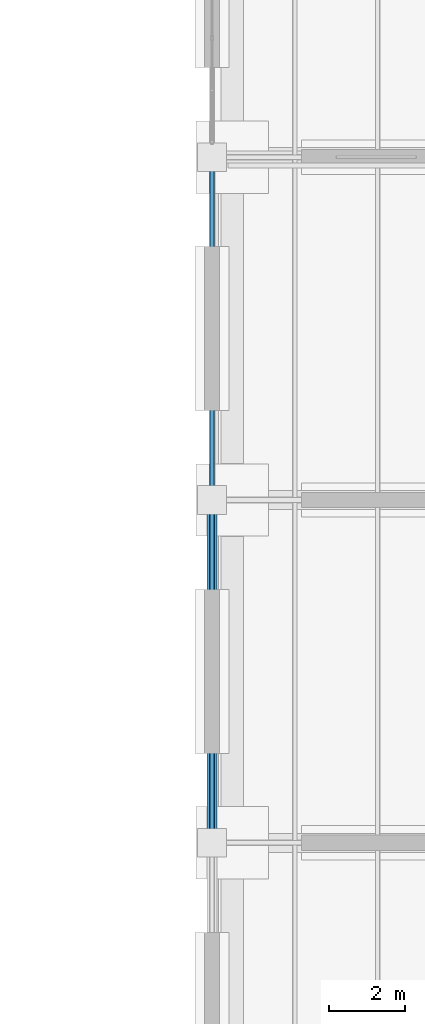
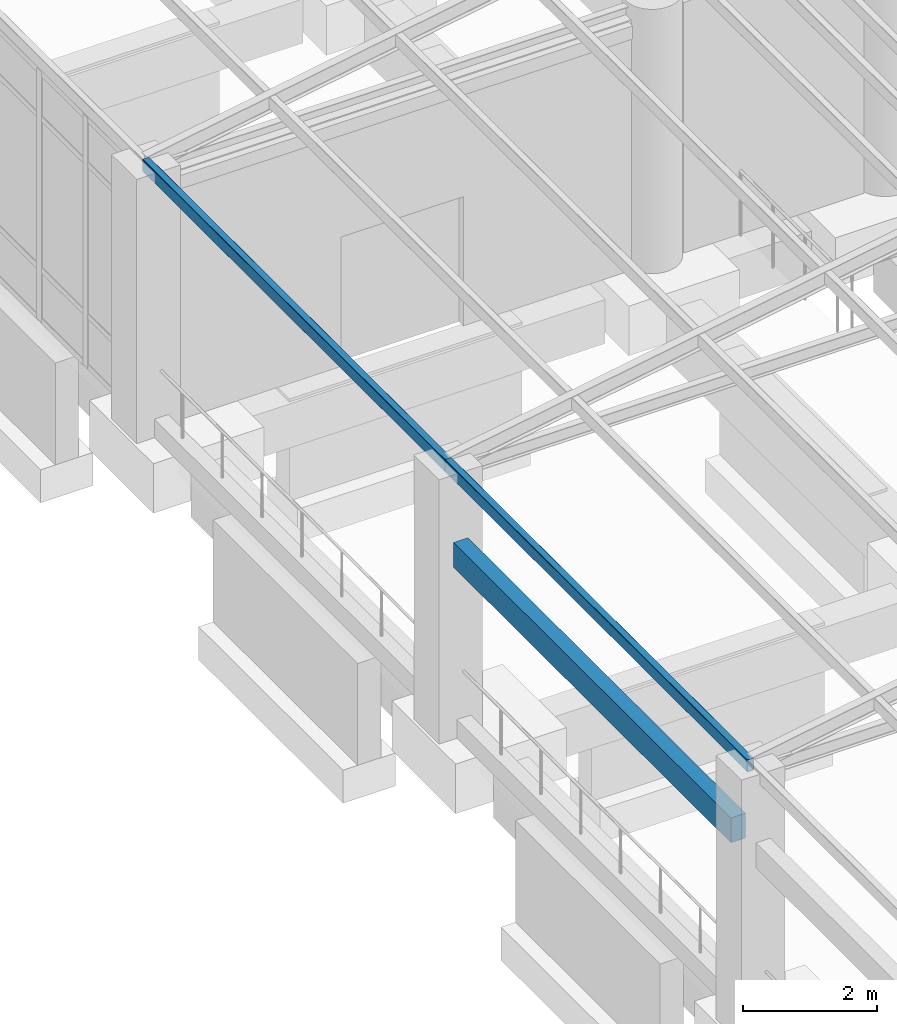
# One storey, part 61 of 111: 2 members, 1 beam.
"""IFC4 building model written with IfcOpenShell, lengths in metres."""

from ifc_helpers import new_model, si_unit, direction, frame, origin, origin_2d, place, context, subcontext, project, spatial, rectangle, hollow_rectangle, extrude, material, material_profile, profile_set, type_object, element, save


model = new_model("IFC4")

# Units and contexts
model_context = context("Model", 3, precision=1e-05, world=origin(), true_north=direction((0.0, 1.0)))
body_context = subcontext(model_context, "Body", "Model", "MODEL_VIEW")
ifc_project = project(units=[si_unit("LENGTHUNIT", "METRE"), si_unit("AREAUNIT", "SQUARE_METRE"), si_unit("VOLUMEUNIT", "CUBIC_METRE"), si_unit("PLANEANGLEUNIT", "RADIAN"), si_unit("MASSUNIT", "GRAM", prefix="KILO")], contexts=[model_context])

# Site, building, storey
site_placement = place(None, origin())
site = spatial("IfcSite", under=ifc_project, at=site_placement, CompositionType="ELEMENT")
building_placement = place(site_placement, origin())
building = spatial("IfcBuilding", under=site, at=building_placement, Name="Canglan Escarpment Cableway Terminal", CompositionType="ELEMENT")
storey_placement = place(building_placement, frame((0.0, 0.0, 4.800048828125)))
storey = spatial("IfcBuildingStorey", under=building, at=storey_placement, Name="L01", CompositionType="ELEMENT", Elevation=4.800048828125)

# Beam
ifc_material_1 = material(Name="Concrete C40", Category="concrete")
ifc_material_profile_1 = material_profile(ifc_material_1, rectangle(XDim=0.25, YDim=0.449951171875, at=origin_2d()), Name="RC 250x450")
ifc_profile_set_1 = profile_set([ifc_material_profile_1], Name="Concrete C40")
beam_type = type_object("IfcBeamType", Name="LN-RC250x450", PredefinedType="LINTEL", material=ifc_profile_set_1)
beam_placement = place(storey_placement, frame((167.300048828125, 79.3701171875, 3.349853515625), z_axis=(0.0, 1.0, 0.0), x_axis=(-1.0, 0.0, 0.0)))
element("IfcBeam", 1, at=beam_placement, inside=storey, type_object=beam_type, Name="Classical colonnade architrave lintel beam", PredefinedType="LINTEL", context=body_context, shape_type="SweptSolid", body=[
    extrude(rectangle(XDim=0.25, YDim=0.449951171875, at=origin_2d()), origin(), (0.0, 0.0, 1.0), 8.259765625),
])

# Members
ifc_material_2 = material(Name="Steel Q355B", Category="steel")
ifc_material_profile_2 = material_profile(ifc_material_2, hollow_rectangle(XDim=0.1201171875, YDim=0.219970703125, WallThickness=0.006103515625, InnerFilletRadius=0.006103515625, OuterFilletRadius=0.011962890625, at=origin_2d()), Name="RHS 220x120x6")
ifc_profile_set_2 = profile_set([ifc_material_profile_2], Name="Steel Q355B")
member_type = type_object("IfcMemberType", Name="MB-PAV-PUR-RHS220", PredefinedType="PURLIN", material=ifc_profile_set_2)
for number, where, z_axis, x_axis, name in (
    (2, (167.300048828125, 79.0, 4.719970703125), (0.0, 1.0, 0.0), (-1.0, 0.0, 0.0), "Colonnade canopy purlin PR-03"),
    (3, (167.300048828125, 88.0, 4.719970703125), (0.0, 1.0, 0.0), (-1.0, 0.0, 0.0), "Colonnade canopy purlin PR-03"),
):
    element("IfcMember", number, at=place(storey_placement, frame(where, z_axis=z_axis, x_axis=x_axis)), inside=storey, type_object=member_type, Name=name, PredefinedType="PURLIN", context=body_context, shape_type="SweptSolid", body=[
        extrude(hollow_rectangle(XDim=0.1201171875, YDim=0.219970703125, WallThickness=0.006103515625, InnerFilletRadius=0.006103515625, OuterFilletRadius=0.011962890625, at=origin_2d()), origin(), (0.0, 0.0, 1.0), 9.0),
    ])

save(model, "model.ifc")
